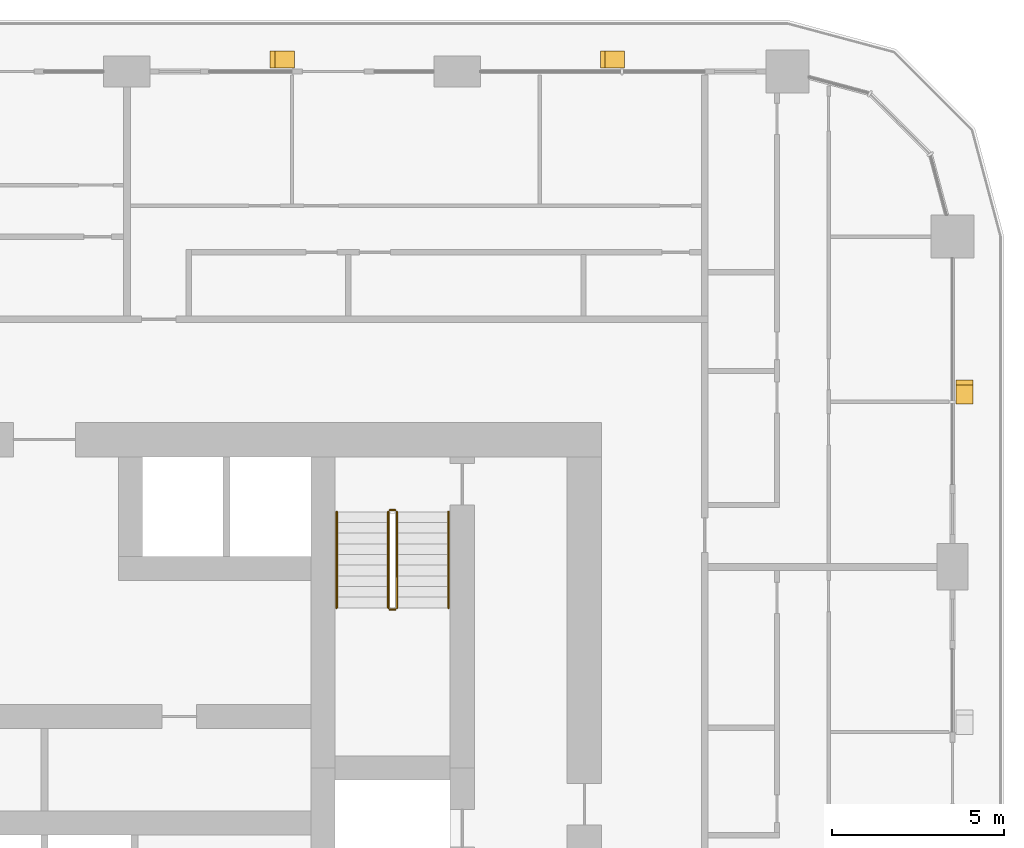
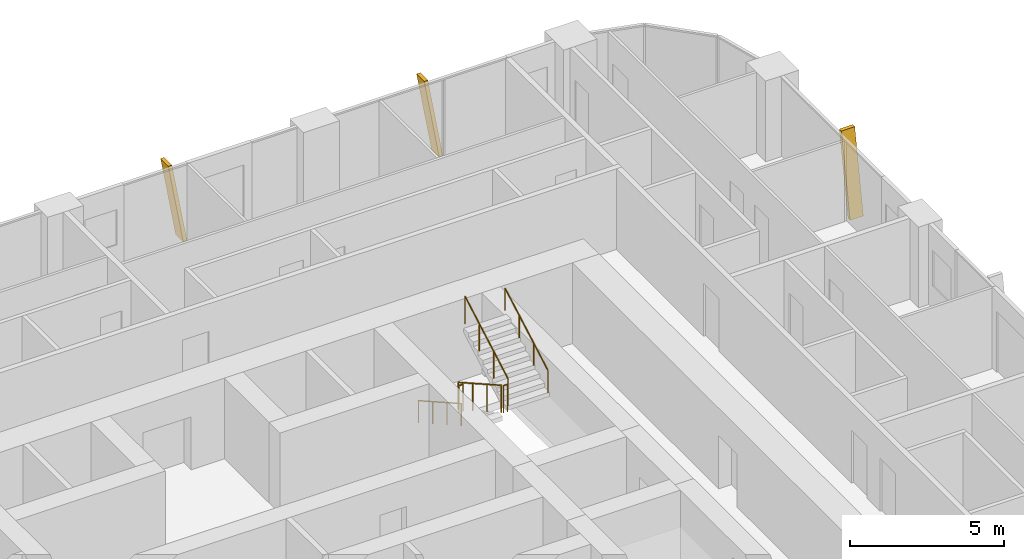
# One storey, part 21 of 21: 6 railings, 3 shading devices.
"""IFC4 building model written with IfcOpenShell, lengths in metres."""

from ifc_helpers import new_model, si_unit, direction, frame, origin, origin_2d, place, context, subcontext, project, spatial, polyline, circle, outline, extrude, material, type_object, element, save


model = new_model("IFC4")

# Units and contexts
model_context = context("Model", 3, precision=1e-05, world=origin(), true_north=direction((0.0, 1.0)))
body_context = subcontext(model_context, "Body", "Model", "MODEL_VIEW")
ifc_project = project(units=[si_unit("LENGTHUNIT", "METRE"), si_unit("AREAUNIT", "SQUARE_METRE"), si_unit("VOLUMEUNIT", "CUBIC_METRE"), si_unit("PLANEANGLEUNIT", "RADIAN"), si_unit("MASSUNIT", "GRAM", prefix="KILO")], contexts=[model_context])

# Site, building, storey
site_placement = place(None, origin())
site = spatial("IfcSite", under=ifc_project, at=site_placement, CompositionType="ELEMENT")
building_placement = place(site_placement, origin())
building = spatial("IfcBuilding", under=site, at=building_placement, Name="Madar Terraces", CompositionType="ELEMENT")
storey_placement = place(building_placement, frame((0.0, 0.0, 39.89990234375)))
storey = spatial("IfcBuildingStorey", under=building, at=storey_placement, Name="L09", CompositionType="ELEMENT", Elevation=39.89990234375)

# Shading devices
ifc_material_1 = material(Name="Aluminium, black anodised", Category="aluminium")
shading_device_type = type_object("IfcShadingDeviceType", Name="Facade fin blade 140 x 500", PredefinedType="USERDEFINED", material=ifc_material_1)
shading_device_1_placement = place(storey_placement, frame((57.949951171875, 38.330078125, 0.0), z_axis=(0.0, 0.0, 1.0), x_axis=(0.0, 1.0, 0.0)))
element("IfcShadingDevice", 1, at=shading_device_1_placement, inside=storey, type_object=shading_device_type, Name="FIN L09 E4", ObjectType="FIN", PredefinedType="USERDEFINED", context=body_context, shape_type="SweptSolid", body=[
    extrude(outline(polyline([(0.0, 0.0), (0.139892578125, 0.0), (0.704345703125, 3.2001953125), (0.564208984375, 3.2001953125), (0.0, 0.0)])), frame((0.0, 0.25, 0.0), z_axis=(0.0, -1.0, 0.0), x_axis=(1.0, 0.0, 0.0)), (0.0, 0.0, 1.0), 0.5),
])
shading_device_2_placement = place(storey_placement, frame((48.070068359375, 48.35009765625, 0.0), z_axis=(0.0, 0.0, 1.0), x_axis=(-1.0, 0.0, 0.0)))
element("IfcShadingDevice", 2, at=shading_device_2_placement, inside=storey, type_object=shading_device_type, Name="FIN L09 N1", ObjectType="FIN", PredefinedType="USERDEFINED", context=body_context, shape_type="SweptSolid", body=[
    extrude(outline(polyline([(0.0, 0.0), (0.14013671875, 0.0), (0.704345703125, 3.2001953125), (0.564208984375, 3.2001953125), (0.0, 0.0)])), frame((0.0, 0.25, 0.0), z_axis=(0.0, -1.0, 0.0), x_axis=(1.0, 0.0, 0.0)), (0.0, 0.0, 1.0), 0.5),
])
shading_device_3_placement = place(storey_placement, frame((38.469970703125, 48.35009765625, 0.0), z_axis=(0.0, 0.0, 1.0), x_axis=(-1.0, 0.0, 0.0)))
element("IfcShadingDevice", 3, at=shading_device_3_placement, inside=storey, type_object=shading_device_type, Name="FIN L09 N2", ObjectType="FIN", PredefinedType="USERDEFINED", context=body_context, shape_type="SweptSolid", body=[
    extrude(outline(polyline([(0.0, 0.0), (0.139892578125, 0.0), (0.704345703125, 3.2001953125), (0.564208984375, 3.2001953125), (0.0, 0.0)])), frame((0.0, 0.25, 0.0), z_axis=(0.0, -1.0, 0.0), x_axis=(1.0, 0.0, 0.0)), (0.0, 0.0, 1.0), 0.5),
])

# Railings
ifc_material_2 = material(Name="Stainless steel railing", Category="steel")
railing_type_1 = type_object("IfcRailingType", Name="Stair guard 1100", PredefinedType="GUARDRAIL", material=ifc_material_2)
railing_1_placement = place(storey_placement, frame((41.199951171875, 35.199951171875, 0.175048828125)))
element("IfcRailing", 4, at=railing_1_placement, inside=storey, type_object=railing_type_1, Name="L09 ST2 stair guard 1", PredefinedType="GUARDRAIL", context=body_context, shape_type="SweptSolid", body=[
    extrude(circle(Radius=0.02392578125, at=origin_2d()), frame((0.0, 0.0, 1.076171875), z_axis=(0.0, -0.870833779661, 0.491577591232), x_axis=(1.0, 0.0, 0.0)), (0.0, 0.0, 1.0), 3.203857421875),
    extrude(circle(Radius=0.02099609375, at=origin_2d()), origin(), (0.0, 0.0, 1.0), 1.052001953125),
    extrude(circle(Radius=0.02099609375, at=origin_2d()), frame((0.0, -0.929931640625, 0.52490234375)), (0.0, 0.0, 1.0), 1.052001953125),
    extrude(circle(Radius=0.02099609375, at=origin_2d()), frame((0.0, -1.860107421875, 1.050048828125)), (0.0, 0.0, 1.0), 1.052001953125),
    extrude(circle(Radius=0.02099609375, at=origin_2d()), frame((0.0, -2.7900390625, 1.574951171875)), (0.0, 0.0, 1.0), 1.052001953125),
])
railing_2_placement = place(storey_placement, frame((41.25, 32.360107421875, 1.75)))
element("IfcRailing", 5, at=railing_2_placement, inside=storey, type_object=railing_type_1, Name="L09 ST2 stair guard 2", PredefinedType="GUARDRAIL", context=body_context, shape_type="SweptSolid", body=[
    extrude(circle(Radius=0.02392578125, at=origin_2d()), frame((0.0, 0.0, 1.076171875), z_axis=(1.0, 0.0, 0.0), x_axis=(0.0, 1.0, 0.0)), (0.0, 0.0, 1.0), 0.14990234375),
    extrude(circle(Radius=0.02099609375, at=origin_2d()), origin(), (0.0, 0.0, 1.0), 1.052001953125),
    extrude(circle(Radius=0.02099609375, at=origin_2d()), frame((0.14990234375, 0.0, 0.0)), (0.0, 0.0, 1.0), 1.052001953125),
])
railing_3_placement = place(storey_placement, frame((41.449951171875, 32.409912109375, 1.925048828125)))
element("IfcRailing", 6, at=railing_3_placement, inside=storey, type_object=railing_type_1, Name="L09 ST2 stair guard 3", PredefinedType="GUARDRAIL", context=body_context, shape_type="SweptSolid", body=[
    extrude(circle(Radius=0.02392578125, at=origin_2d()), frame((0.0, 0.0, 1.076171875), z_axis=(0.0, 0.870833779661, 0.491577591232), x_axis=(-1.0, 0.0, 0.0)), (0.0, 0.0, 1.0), 3.203857421875),
    extrude(circle(Radius=0.02099609375, at=origin_2d()), origin(), (0.0, 0.0, 1.0), 1.052001953125),
    extrude(circle(Radius=0.02099609375, at=origin_2d()), frame((0.0, 0.929931640625, 0.52490234375)), (0.0, 0.0, 1.0), 1.052001953125),
    extrude(circle(Radius=0.02099609375, at=origin_2d()), frame((0.0, 1.860107421875, 1.050048828125)), (0.0, 0.0, 1.0), 1.052001953125),
    extrude(circle(Radius=0.02099609375, at=origin_2d()), frame((0.0, 2.7900390625, 1.574951171875)), (0.0, 0.0, 1.0), 1.052001953125),
])
railing_4_placement = place(storey_placement, frame((41.25, 35.25, 0.0)))
element("IfcRailing", 7, at=railing_4_placement, inside=storey, type_object=railing_type_1, Name="L09 ST2 stair guard 4", PredefinedType="GUARDRAIL", context=body_context, shape_type="SweptSolid", body=[
    extrude(circle(Radius=0.02392578125, at=origin_2d()), frame((0.0, 0.0, 1.076171875), z_axis=(1.0, 0.0, 0.0), x_axis=(0.0, 1.0, 0.0)), (0.0, 0.0, 1.0), 0.14990234375),
    extrude(circle(Radius=0.02099609375, at=origin_2d()), origin(), (0.0, 0.0, 1.0), 1.052001953125),
    extrude(circle(Radius=0.02099609375, at=origin_2d()), frame((0.14990234375, 0.0, 0.0)), (0.0, 0.0, 1.0), 1.052001953125),
])
ifc_material_3 = material(Name="Stainless steel railing", Category="steel")
railing_type_2 = type_object("IfcRailingType", Name="Stair handrail 900", PredefinedType="HANDRAIL", material=ifc_material_3)
railing_5_placement = place(storey_placement, frame((39.699951171875, 35.199951171875, 0.175048828125)))
element("IfcRailing", 8, at=railing_5_placement, inside=storey, type_object=railing_type_2, Name="L09 ST2 stair handrail 1", PredefinedType="HANDRAIL", context=body_context, shape_type="SweptSolid", body=[
    extrude(circle(Radius=0.02392578125, at=origin_2d()), frame((0.0, 0.0, 0.8759765625), z_axis=(0.0, -0.870833779661, 0.491577591232), x_axis=(1.0, 0.0, 0.0)), (0.0, 0.0, 1.0), 3.203857421875),
    extrude(circle(Radius=0.02099609375, at=origin_2d()), origin(), (0.0, 0.0, 1.0), 0.851806640625),
    extrude(circle(Radius=0.02099609375, at=origin_2d()), frame((0.0, -0.929931640625, 0.52490234375)), (0.0, 0.0, 1.0), 0.851806640625),
    extrude(circle(Radius=0.02099609375, at=origin_2d()), frame((0.0, -1.860107421875, 1.050048828125)), (0.0, 0.0, 1.0), 0.851806640625),
    extrude(circle(Radius=0.02099609375, at=origin_2d()), frame((0.0, -2.7900390625, 1.574951171875)), (0.0, 0.0, 1.0), 0.851806640625),
])
railing_6_placement = place(storey_placement, frame((42.949951171875, 32.409912109375, 1.925048828125)))
element("IfcRailing", 9, at=railing_6_placement, inside=storey, type_object=railing_type_2, Name="L09 ST2 stair handrail 2", PredefinedType="HANDRAIL", context=body_context, shape_type="SweptSolid", body=[
    extrude(circle(Radius=0.02392578125, at=origin_2d()), frame((0.0, 0.0, 0.8759765625), z_axis=(0.0, 0.870833779661, 0.491577591232), x_axis=(-1.0, 0.0, 0.0)), (0.0, 0.0, 1.0), 3.203857421875),
    extrude(circle(Radius=0.02099609375, at=origin_2d()), origin(), (0.0, 0.0, 1.0), 0.851806640625),
    extrude(circle(Radius=0.02099609375, at=origin_2d()), frame((0.0, 0.929931640625, 0.52490234375)), (0.0, 0.0, 1.0), 0.851806640625),
    extrude(circle(Radius=0.02099609375, at=origin_2d()), frame((0.0, 1.860107421875, 1.050048828125)), (0.0, 0.0, 1.0), 0.851806640625),
    extrude(circle(Radius=0.02099609375, at=origin_2d()), frame((0.0, 2.7900390625, 1.574951171875)), (0.0, 0.0, 1.0), 0.851806640625),
])

save(model, "model.ifc")
